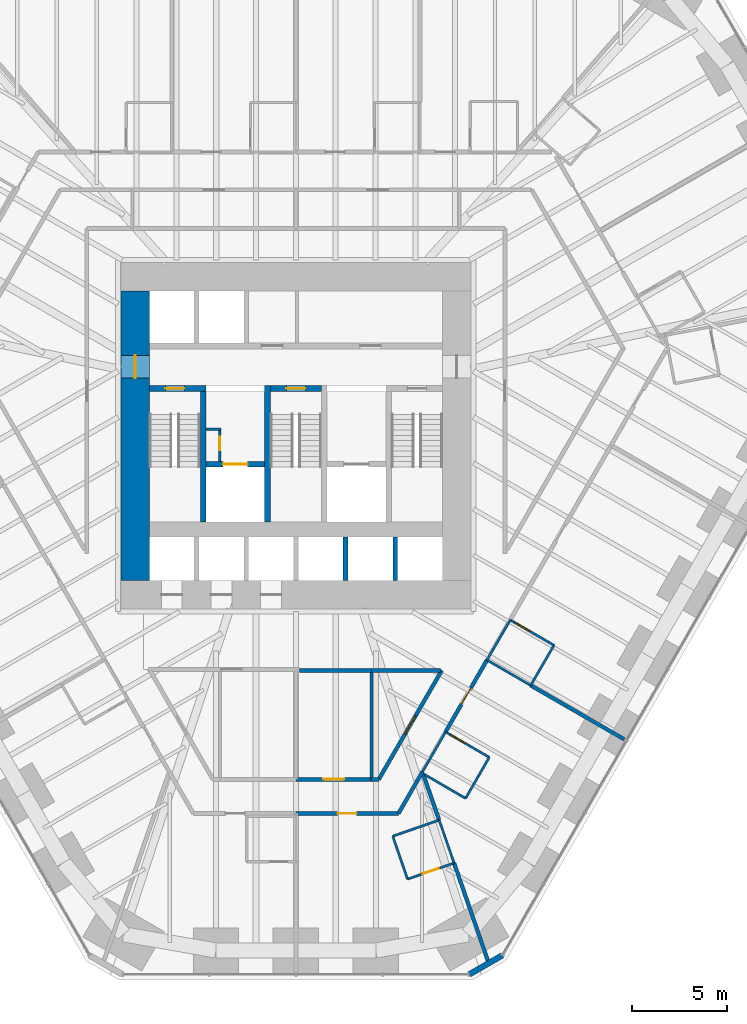
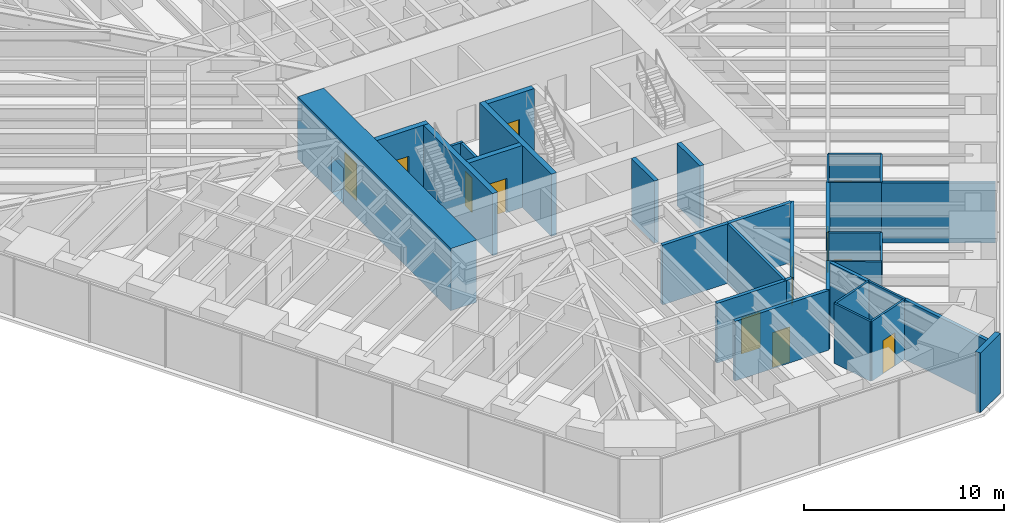
# One storey, part 12 of 17: 35 walls, 12 doors, 12 openings.
"""IFC4 building model written with IfcOpenShell, lengths in metres."""

from ifc_helpers import new_model, si_unit, direction, frame, frame_2d, origin, place, context, subcontext, project, spatial, rectangle, extrude, material, layer, layer_set, type_object, element, fill, save


model = new_model("IFC4")

# Units and contexts
model_context = context("Model", 3, precision=1e-05, world=origin(), true_north=direction((0.0, 1.0)))
body_context = subcontext(model_context, "Body", "Model", "MODEL_VIEW")
ifc_project = project(units=[si_unit("LENGTHUNIT", "METRE"), si_unit("AREAUNIT", "SQUARE_METRE"), si_unit("VOLUMEUNIT", "CUBIC_METRE"), si_unit("PLANEANGLEUNIT", "RADIAN"), si_unit("MASSUNIT", "GRAM", prefix="KILO")], contexts=[model_context])

# Site, building, storey
site_placement = place(None, origin())
site = spatial("IfcSite", under=ifc_project, at=site_placement, CompositionType="ELEMENT")
building_placement = place(site_placement, origin())
building = spatial("IfcBuilding", under=site, at=building_placement, Name="Sandreach Pilgrim Tower", CompositionType="ELEMENT")
storey_placement = place(building_placement, frame((0.0, 0.0, 42.0)))
storey = spatial("IfcBuildingStorey", under=building, at=storey_placement, Name="L09", CompositionType="ELEMENT", Elevation=42.0)

# Walls
ifc_material_1 = material(Name="Gypsum board on steel studs", Category="steel")
ifc_layer_1 = layer(ifc_material_1, 0.14990234375)
ifc_layer_set_1 = layer_set([ifc_layer_1], Name="Back of house wall 150")
wall_type_1 = type_object("IfcWallType", Name="Back of house wall 150", PredefinedType="PARTITIONING", material=ifc_layer_set_1)
wall_1_placement = place(storey_placement, frame((4.0, -13.949951171875, 0.0), z_axis=(0.0, 0.0, 1.0), x_axis=(0.0, -1.0, 0.0)))
element("IfcWall", 1, at=wall_1_placement, inside=storey, type_object=wall_type_1, Name="Back of house wall L09-073", PredefinedType="PARTITIONING", context=body_context, shape_type="SweptSolid", body=[
    extrude(rectangle(XDim=5.760009765625, YDim=0.14990234375, at=frame_2d((2.8798828125, 0.0))), origin(), (0.0, 0.0, 1.0), 3.639892578125),
])
ifc_material_2 = material(Name="Moisture-resistant gypsum board on steel studs", Category="steel")
ifc_layer_2 = layer(ifc_material_2, 0.1201171875)
ifc_layer_set_2 = layer_set([ifc_layer_2], Name="Bathroom partition 120")
wall_type_2 = type_object("IfcWallType", Name="Bathroom partition 120", PredefinedType="PARTITIONING", material=ifc_layer_set_2)
wall_2_placement = place(storey_placement, frame((5.1201171875, -22.7099609375, 0.0), z_axis=(0.0, 0.0, 1.0), x_axis=(0.324880771143, -0.945754981241, 0.0)))
element("IfcWall", 2, at=wall_2_placement, inside=storey, type_object=wall_type_2, Name="Bathroom partition L09-078", PredefinedType="PARTITIONING", context=body_context, shape_type="SweptSolid", body=[
    extrude(rectangle(XDim=2.400146484375, YDim=0.1201171875, at=frame_2d((1.2001953125, 0.0))), origin(), (0.0, 0.0, 1.0), 3.639892578125),
])

# Wall, opening, door
wall_3_placement = place(storey_placement, frame((5.89990234375, -24.97998046875, 0.0), z_axis=(0.0, 0.0, 1.0), x_axis=(0.945165466094, 0.326591857987, 0.0)))
wall_3 = element("IfcWall", 3, at=wall_3_placement, inside=storey, type_object=wall_type_2, Name="Bathroom partition L09-080", PredefinedType="PARTITIONING", context=body_context, shape_type="SweptSolid", body=[
    extrude(rectangle(XDim=2.60302734375, YDim=0.1201171875, at=frame_2d((1.301513671875, 0.0))), origin(), (0.0, 0.0, 1.0), 3.639892578125),
])
opening_1_placement = place(wall_3_placement, frame((0.85009765625, 0.0, 0.0)))
opening_1 = element("IfcOpeningElement", 4, at=opening_1_placement, cuts=wall_3, Name="Opening D09-10B", PredefinedType="OPENING", context=body_context, shape_type="SweptSolid", body=[
    extrude(rectangle(XDim=0.89990234375, YDim=2.030029296875, at=frame_2d((0.449951171875, 1.01513671875))), frame((0.0, 0.06005859375, 0.0), z_axis=(0.0, -1.0, 0.0), x_axis=(1.0, 0.0, 0.0)), (0.0, 0.0, 1.0), 0.1201171875),
])
ifc_material_3 = material(Name="Timber door, steel frame", Category="steel")
door_type_1 = type_object("IfcDoorType", Name="Bathroom door", OperationType="SINGLE_SWING_LEFT", PredefinedType="DOOR", material=ifc_material_3)
door_1_placement = place(opening_1_placement, origin())
door_1 = element("IfcDoor", 5, at=door_1_placement, inside=storey, type_object=door_type_1, Name="Door 0910B", OperationType="SINGLE_SWING_LEFT", OverallHeight=2.030029296875, OverallWidth=0.89990234375, PredefinedType="DOOR", context=body_context, shape_type="SweptSolid", body=[
    extrude(rectangle(XDim=0.89990234375, YDim=2.030029296875, at=frame_2d((0.449951171875, 1.01513671875))), frame((0.0, 0.02490234375, 0.0), z_axis=(0.0, -1.0, 0.0), x_axis=(1.0, 0.0, 0.0)), (0.0, 0.0, 1.0), 0.050048828125),
])
fill(opening_1, door_1)

# Walls
wall_4_placement = place(storey_placement, frame((6.68994140625, -19.31005859375, 0.0), z_axis=(0.0, 0.0, 1.0), x_axis=(0.500522890398, 0.865723302324, 0.0)))
element("IfcWall", 6, at=wall_4_placement, inside=storey, type_object=wall_type_2, Name="Bathroom partition L09-085", PredefinedType="PARTITIONING", context=body_context, shape_type="SweptSolid", body=[
    extrude(rectangle(XDim=2.4375, YDim=0.1201171875, at=frame_2d((1.21875, 0.0))), origin(), (0.0, 0.0, 1.0), 3.639892578125),
])
wall_5_placement = place(storey_placement, frame((6.807861328125, -19.455078125, 0.0), z_axis=(0.0, 0.0, 1.0), x_axis=(0.864881956308, -0.501975299844, 0.0)))
element("IfcWall", 7, at=wall_5_placement, inside=storey, type_object=wall_type_2, Name="Bathroom partition L09-086", PredefinedType="PARTITIONING", context=body_context, shape_type="SweptSolid", body=[
    extrude(rectangle(XDim=2.5, YDim=0.1201171875, at=frame_2d((1.25, 0.0))), origin(), (0.0, 0.0, 1.0), 3.639892578125),
])
wall_6_placement = place(storey_placement, frame((7.570068359375, -21.860107421875, 0.0), z_axis=(0.0, 0.0, 1.0), x_axis=(-0.944782191137, -0.327698964463, 0.0)))
element("IfcWall", 8, at=wall_6_placement, inside=storey, type_object=wall_type_2, Name="Bathroom partition L09-087", PredefinedType="PARTITIONING", context=body_context, shape_type="SweptSolid", body=[
    extrude(rectangle(XDim=2.593505859375, YDim=0.1201171875, at=frame_2d((1.296875, 0.0))), origin(), (0.0, 0.0, 1.0), 3.639892578125),
])
wall_7_placement = place(storey_placement, frame((7.570068359375, -21.860107421875, 0.0), z_axis=(0.0, 0.0, 1.0), x_axis=(0.328725498061, -0.944425511581, 0.0)))
element("IfcWall", 9, at=wall_7_placement, inside=storey, type_object=wall_type_2, Name="Bathroom partition L09-089", PredefinedType="PARTITIONING", context=body_context, shape_type="SweptSolid", body=[
    extrude(rectangle(XDim=2.4033203125, YDim=0.1201171875, at=frame_2d((1.20166015625, 0.0))), origin(), (0.0, 0.0, 1.0), 3.639892578125),
])
wall_8_placement = place(storey_placement, frame((8.969970703125, -20.7099609375, 0.0), z_axis=(0.0, 0.0, 1.0), x_axis=(0.499159685399, 0.866510016372, 0.0)))
element("IfcWall", 10, at=wall_8_placement, inside=storey, type_object=wall_type_2, Name="Bathroom partition L09-096", PredefinedType="PARTITIONING", context=body_context, shape_type="SweptSolid", body=[
    extrude(rectangle(XDim=2.504150390625, YDim=0.1201171875, at=frame_2d((1.251953125, 0.0))), origin(), (0.0, 0.0, 1.0), 3.639892578125),
])
wall_9_placement = place(storey_placement, frame((10.10009765625, -13.39990234375, 0.0), z_axis=(0.0, 0.0, 1.0), x_axis=(0.501856726365, 0.86495076519, 0.0)))
element("IfcWall", 11, at=wall_9_placement, inside=storey, type_object=wall_type_2, Name="Bathroom partition L09-099", PredefinedType="PARTITIONING", context=body_context, shape_type="SweptSolid", body=[
    extrude(rectangle(XDim=2.450927734375, YDim=0.1201171875, at=frame_2d((1.2255859375, 0.0))), origin(), (0.0, 0.0, 1.0), 3.639892578125),
])
wall_10_placement = place(storey_placement, frame((10.10009765625, -13.39990234375, 0.0), z_axis=(0.0, 0.0, 1.0), x_axis=(0.864966903181, -0.501828911485, 0.0)))
element("IfcWall", 12, at=wall_10_placement, inside=storey, type_object=wall_type_2, Name="Bathroom partition L09-100", PredefinedType="PARTITIONING", context=body_context, shape_type="SweptSolid", body=[
    extrude(rectangle(XDim=2.67041015625, YDim=0.1201171875, at=frame_2d((1.335205078125, 0.0))), origin(), (0.0, 0.0, 1.0), 3.639892578125),
])

# Wall, opening, door
wall_11_placement = place(storey_placement, frame((10.219970703125, -18.5400390625, 0.0), z_axis=(0.0, 0.0, 1.0), x_axis=(-0.86498992408, 0.501789229896, 0.0)))
wall_11 = element("IfcWall", 13, at=wall_11_placement, inside=storey, type_object=wall_type_2, Name="Bathroom partition L09-101", PredefinedType="PARTITIONING", context=body_context, shape_type="SweptSolid", body=[
    extrude(rectangle(XDim=2.670654296875, YDim=0.1201171875, at=frame_2d((1.33544921875, 0.0))), origin(), (0.0, 0.0, 1.0), 3.639892578125),
])
opening_2_placement = place(wall_11_placement, frame((1.470458984375, 0.0, 0.0)))
opening_2 = element("IfcOpeningElement", 14, at=opening_2_placement, cuts=wall_11, Name="Opening D09-09B", PredefinedType="OPENING", context=body_context, shape_type="SweptSolid", body=[
    extrude(rectangle(XDim=0.89990234375, YDim=2.030029296875, at=frame_2d((0.449951171875, 1.01513671875))), frame((0.0, 0.06005859375, 0.0), z_axis=(0.0, -1.0, 0.0), x_axis=(1.0, 0.0, 0.0)), (0.0, 0.0, 1.0), 0.1201171875),
])
door_2_placement = place(opening_2_placement, origin())
door_2 = element("IfcDoor", 15, at=door_2_placement, inside=storey, type_object=door_type_1, Name="Door 0909B", OperationType="SINGLE_SWING_RIGHT", OverallHeight=2.030029296875, OverallWidth=0.89990234375, PredefinedType="DOOR", context=body_context, shape_type="SweptSolid", body=[
    extrude(rectangle(XDim=0.89990234375, YDim=2.030029296875, at=frame_2d((0.449951171875, 1.01513671875))), frame((0.0, 0.02490234375, 0.0), z_axis=(0.0, -1.0, 0.0), x_axis=(1.0, 0.0, 0.0)), (0.0, 0.0, 1.0), 0.050048828125),
])
fill(opening_2, door_2)

# Wall
wall_12_placement = place(storey_placement, frame((12.409912109375, -14.739990234375, 0.0), z_axis=(0.0, 0.0, 1.0), x_axis=(0.501813488763, 0.864975850817, 0.0)))
element("IfcWall", 16, at=wall_12_placement, inside=storey, type_object=wall_type_2, Name="Bathroom partition L09-109", PredefinedType="PARTITIONING", context=body_context, shape_type="SweptSolid", body=[
    extrude(rectangle(XDim=2.451171875, YDim=0.1201171875, at=frame_2d((1.2255859375, 0.0))), origin(), (0.0, 0.0, 1.0), 3.639892578125),
])

# Wall, opening, door
wall_13_placement = place(storey_placement, frame((13.639892578125, -12.6201171875, 0.0), z_axis=(0.0, 0.0, 1.0), x_axis=(-0.864966903181, 0.501828911485, 0.0)))
wall_13 = element("IfcWall", 17, at=wall_13_placement, inside=storey, type_object=wall_type_2, Name="Bathroom partition L09-114", PredefinedType="PARTITIONING", context=body_context, shape_type="SweptSolid", body=[
    extrude(rectangle(XDim=2.67041015625, YDim=0.1201171875, at=frame_2d((1.335205078125, 0.0))), origin(), (0.0, 0.0, 1.0), 3.639892578125),
])
opening_3_placement = place(wall_13_placement, frame((1.470458984375, 0.0, 0.0)))
opening_3 = element("IfcOpeningElement", 18, at=opening_3_placement, cuts=wall_13, Name="Opening D09-08B", PredefinedType="OPENING", context=body_context, shape_type="SweptSolid", body=[
    extrude(rectangle(XDim=0.89990234375, YDim=2.030029296875, at=frame_2d((0.449951171875, 1.01513671875))), frame((0.0, 0.06005859375, 0.0), z_axis=(0.0, -1.0, 0.0), x_axis=(1.0, 0.0, 0.0)), (0.0, 0.0, 1.0), 0.1201171875),
])
door_3_placement = place(opening_3_placement, origin())
door_3 = element("IfcDoor", 19, at=door_3_placement, inside=storey, type_object=door_type_1, Name="Door 0908B", OperationType="SINGLE_SWING_RIGHT", OverallHeight=2.030029296875, OverallWidth=0.89990234375, PredefinedType="DOOR", context=body_context, shape_type="SweptSolid", body=[
    extrude(rectangle(XDim=0.89990234375, YDim=2.030029296875, at=frame_2d((0.449951171875, 1.01513671875))), frame((0.0, 0.02490234375, 0.0), z_axis=(0.0, -1.0, 0.0), x_axis=(1.0, 0.0, 0.0)), (0.0, 0.0, 1.0), 0.050048828125),
])
fill(opening_3, door_3)

# Walls
ifc_material_4 = material(Name="Concrete 10000 psi", Category="concrete")
ifc_layer_3 = layer(ifc_material_4, 0.300048828125)
ifc_layer_set_3 = layer_set([ifc_layer_3], Name="Core inner wall 300")
wall_type_3 = type_object("IfcWallType", Name="Core inner wall 300", PredefinedType="SHEAR", material=ifc_layer_set_3)
for number, where, z_axis, x_axis, name in (
    (20, (-4.89990234375, -6.10009765625, 0.0), (0.0, 0.0, 1.0), (0.0, 1.0, 0.0), "Core wall I0 L09"),
    (21, (-1.5, -6.10009765625, 0.0), (0.0, 0.0, 1.0), (0.0, 1.0, 0.0), "Core wall I1 L09"),
):
    element("IfcWall", number, at=place(storey_placement, frame(where, z_axis=z_axis, x_axis=x_axis)), inside=storey, type_object=wall_type_3, Name=name, PredefinedType="SHEAR", context=body_context, shape_type="SweptSolid", body=[
        extrude(rectangle(XDim=7.2001953125, YDim=0.300048828125, at=frame_2d((3.60009765625, 0.0))), origin(), (0.0, 0.0, 1.0), 3.800048828125),
    ])

# Wall, opening, door
wall_14_placement = place(storey_placement, frame((-7.75, 0.949951171875, 0.0), z_axis=(0.0, 0.0, 1.0), x_axis=(1.0, 0.0, 0.0)))
wall_14 = element("IfcWall", 22, at=wall_14_placement, inside=storey, type_object=wall_type_3, Name="Core wall SN1 L09", PredefinedType="SHEAR", context=body_context, shape_type="SweptSolid", body=[
    extrude(rectangle(XDim=3.0, YDim=0.300048828125, at=frame_2d((1.5, 0.0))), origin(), (0.0, 0.0, 1.0), 3.800048828125),
])
opening_4_placement = place(wall_14_placement, frame((0.85009765625, 0.0, 0.0)))
opening_4 = element("IfcOpeningElement", 23, at=opening_4_placement, cuts=wall_14, Name="Opening D10S-ST1", PredefinedType="OPENING", context=body_context, shape_type="SweptSolid", body=[
    extrude(rectangle(XDim=1.0, YDim=2.199951171875, at=frame_2d((0.5, 1.10009765625))), frame((0.0, 0.14990234375, 0.0), z_axis=(0.0, -1.0, 0.0), x_axis=(1.0, 0.0, 0.0)), (0.0, 0.0, 1.0), 0.300048828125),
])
ifc_material_5 = material(Name="Steel door and frame", Category="steel")
door_type_2 = type_object("IfcDoorType", Name="Stair door", OperationType="SINGLE_SWING_LEFT", PredefinedType="DOOR", material=ifc_material_5)
door_4_placement = place(opening_4_placement, origin())
door_4 = element("IfcDoor", 24, at=door_4_placement, inside=storey, type_object=door_type_2, Name="Stair door ST1 L09", OperationType="SINGLE_SWING_LEFT", OverallHeight=2.199951171875, OverallWidth=1.0, PredefinedType="DOOR", context=body_context, shape_type="SweptSolid", body=[
    extrude(rectangle(XDim=1.0, YDim=2.199951171875, at=frame_2d((0.5, 1.10009765625))), frame((0.0, 0.02490234375, 0.0), z_axis=(0.0, -1.0, 0.0), x_axis=(1.0, 0.0, 0.0)), (0.0, 0.0, 1.0), 0.050048828125),
])
fill(opening_4, door_4)

wall_15_placement = place(storey_placement, frame((-1.35009765625, 0.949951171875, 0.0), z_axis=(0.0, 0.0, 1.0), x_axis=(1.0, 0.0, 0.0)))
wall_15 = element("IfcWall", 25, at=wall_15_placement, inside=storey, type_object=wall_type_3, Name="Core wall SN3 L09", PredefinedType="SHEAR", context=body_context, shape_type="SweptSolid", body=[
    extrude(rectangle(XDim=2.7001953125, YDim=0.300048828125, at=frame_2d((1.35009765625, 0.0))), origin(), (0.0, 0.0, 1.0), 3.800048828125),
])
opening_5_placement = place(wall_15_placement, frame((0.85009765625, 0.0, 0.0)))
opening_5 = element("IfcOpeningElement", 26, at=opening_5_placement, cuts=wall_15, Name="Opening D10S-ST3", PredefinedType="OPENING", context=body_context, shape_type="SweptSolid", body=[
    extrude(rectangle(XDim=1.0, YDim=2.199951171875, at=frame_2d((0.5, 1.10009765625))), frame((0.0, 0.14990234375, 0.0), z_axis=(0.0, -1.0, 0.0), x_axis=(1.0, 0.0, 0.0)), (0.0, 0.0, 1.0), 0.300048828125),
])
door_5_placement = place(opening_5_placement, origin())
door_5 = element("IfcDoor", 27, at=door_5_placement, inside=storey, type_object=door_type_2, Name="Stair door ST3 L09", OperationType="SINGLE_SWING_LEFT", OverallHeight=2.199951171875, OverallWidth=1.0, PredefinedType="DOOR", context=body_context, shape_type="SweptSolid", body=[
    extrude(rectangle(XDim=1.0, YDim=2.199951171875, at=frame_2d((0.5, 1.10009765625))), frame((0.0, 0.02490234375, 0.0), z_axis=(0.0, -1.0, 0.0), x_axis=(1.0, 0.0, 0.0)), (0.0, 0.0, 1.0), 0.050048828125),
])
fill(opening_5, door_5)

wall_16_placement = place(storey_placement, frame((-4.75, -3.050048828125, 0.0), z_axis=(0.0, 0.0, 1.0), x_axis=(1.0, 0.0, 0.0)))
wall_16 = element("IfcWall", 28, at=wall_16_placement, inside=storey, type_object=wall_type_3, Name="Core wall FL1 L09", PredefinedType="SHEAR", context=body_context, shape_type="SweptSolid", body=[
    extrude(rectangle(XDim=3.10009765625, YDim=0.300048828125, at=frame_2d((1.550048828125, 0.0))), origin(), (0.0, 0.0, 1.0), 3.800048828125),
])
opening_6_placement = place(wall_16_placement, frame((0.89990234375, 0.0, 0.0)))
opening_6 = element("IfcOpeningElement", 29, at=opening_6_placement, cuts=wall_16, Name="Opening LD13", PredefinedType="OPENING", context=body_context, shape_type="SweptSolid", body=[
    extrude(rectangle(XDim=1.300048828125, YDim=2.10009765625, at=frame_2d((0.64990234375, 1.050048828125))), frame((0.0, 0.14990234375, 0.0), z_axis=(0.0, -1.0, 0.0), x_axis=(1.0, 0.0, 0.0)), (0.0, 0.0, 1.0), 0.300048828125),
])
ifc_material_6 = material(Name="Steel door and frame", Category="steel")
door_type_3 = type_object("IfcDoorType", Name="Fire service lift landing door", OperationType="DOUBLE_DOOR_SLIDING", PredefinedType="DOOR", material=ifc_material_6)
door_6_placement = place(opening_6_placement, origin())
door_6 = element("IfcDoor", 30, at=door_6_placement, inside=storey, type_object=door_type_3, Name="Lift landing door FS1 L09", OperationType="DOUBLE_DOOR_SLIDING", OverallHeight=2.10009765625, OverallWidth=1.300048828125, PredefinedType="DOOR", context=body_context, shape_type="SweptSolid", body=[
    extrude(rectangle(XDim=1.300048828125, YDim=2.10009765625, at=frame_2d((0.64990234375, 1.050048828125))), frame((0.0, 0.02490234375, 0.0), z_axis=(0.0, -1.0, 0.0), x_axis=(1.0, 0.0, 0.0)), (0.0, 0.0, 1.0), 0.050048828125),
])
fill(opening_6, door_6)

ifc_material_7 = material(Name="Concrete 10000 psi", Category="concrete")
ifc_layer_4 = layer(ifc_material_7, 1.5)
ifc_layer_set_4 = layer_set([ifc_layer_4], Name="Core wall 1500")
wall_type_4 = type_object("IfcWallType", Name="Core wall 1500", PredefinedType="SHEAR", material=ifc_layer_set_4)
wall_17_placement = place(storey_placement, frame((-8.5, -9.199951171875, 0.0), z_axis=(0.0, 0.0, 1.0), x_axis=(0.0, 1.0, 0.0)))
wall_17 = element("IfcWall", 31, at=wall_17_placement, inside=storey, type_object=wall_type_4, Name="Core wall W L09", PredefinedType="SHEAR", context=body_context, shape_type="SweptSolid", body=[
    extrude(rectangle(XDim=15.300048828125, YDim=1.5, at=frame_2d((7.64990234375, 0.0))), origin(), (0.0, 0.0, 1.0), 3.800048828125),
])
opening_7_placement = place(wall_17_placement, frame((10.699951171875, 0.0, 0.0)))
opening_7 = element("IfcOpeningElement", 32, at=opening_7_placement, cuts=wall_17, Name="Opening D12F-W", PredefinedType="OPENING", context=body_context, shape_type="SweptSolid", body=[
    extrude(rectangle(XDim=1.199951171875, YDim=2.199951171875, at=frame_2d((0.60009765625, 1.10009765625))), frame((0.0, 0.75, 0.0), z_axis=(0.0, -1.0, 0.0), x_axis=(1.0, 0.0, 0.0)), (0.0, 0.0, 1.0), 1.5),
])
ifc_material_8 = material(Name="Steel door and frame", Category="steel")
door_type_4 = type_object("IfcDoorType", Name="Fire lobby door", OperationType="SINGLE_SWING_LEFT", PredefinedType="DOOR", material=ifc_material_8)
door_7_placement = place(opening_7_placement, origin())
door_7 = element("IfcDoor", 33, at=door_7_placement, inside=storey, type_object=door_type_4, Name="Fire service lobby door W L09", OperationType="SINGLE_SWING_RIGHT", OverallHeight=2.199951171875, OverallWidth=1.199951171875, PredefinedType="DOOR", context=body_context, shape_type="SweptSolid", body=[
    extrude(rectangle(XDim=1.199951171875, YDim=2.199951171875, at=frame_2d((0.60009765625, 1.10009765625))), frame((0.0, 0.02490234375, 0.0), z_axis=(0.0, -1.0, 0.0), x_axis=(1.0, 0.0, 0.0)), (0.0, 0.0, 1.0), 0.050048828125),
])
fill(opening_7, door_7)

ifc_material_9 = material(Name="Gypsum board on steel studs, two layers each side", Category="steel")
ifc_layer_5 = layer(ifc_material_9, 0.199951171875)
ifc_layer_set_5 = layer_set([ifc_layer_5], Name="Corridor wall 200")
wall_type_5 = type_object("IfcWallType", Name="Corridor wall 200", PredefinedType="PARTITIONING", material=ifc_layer_set_5)
wall_18_placement = place(storey_placement, frame((0.0, -21.510009765625, 0.0), z_axis=(0.0, 0.0, 1.0), x_axis=(1.0, 0.0, 0.0)))
wall_18 = element("IfcWall", 34, at=wall_18_placement, inside=storey, type_object=wall_type_5, Name="Corridor wall L09-060", PredefinedType="PARTITIONING", context=body_context, shape_type="SweptSolid", body=[
    extrude(rectangle(XDim=5.419921875, YDim=0.199951171875, at=frame_2d((2.7099609375, 0.0))), origin(), (0.0, 0.0, 1.0), 3.639892578125),
])
opening_8_placement = place(wall_18_placement, frame((2.2099609375, 0.0, 0.0)))
opening_8 = element("IfcOpeningElement", 35, at=opening_8_placement, cuts=wall_18, Name="Opening D10-10", PredefinedType="OPENING", context=body_context, shape_type="SweptSolid", body=[
    extrude(rectangle(XDim=1.0, YDim=2.1298828125, at=frame_2d((0.5, 1.06494140625))), frame((0.0, 0.10009765625, 0.0), z_axis=(0.0, -1.0, 0.0), x_axis=(1.0, 0.0, 0.0)), (0.0, 0.0, 1.0), 0.199951171875),
])
ifc_material_10 = material(Name="Steel door and frame", Category="steel")
door_type_5 = type_object("IfcDoorType", Name="Guest room entry door", OperationType="SINGLE_SWING_LEFT", PredefinedType="DOOR", material=ifc_material_10)
door_8_placement = place(opening_8_placement, origin())
door_8 = element("IfcDoor", 36, at=door_8_placement, inside=storey, type_object=door_type_5, Name="Door 0910", OperationType="SINGLE_SWING_LEFT", OverallHeight=2.1298828125, OverallWidth=1.0, PredefinedType="DOOR", context=body_context, shape_type="SweptSolid", body=[
    extrude(rectangle(XDim=1.0, YDim=2.1298828125, at=frame_2d((0.5, 1.06494140625))), frame((0.0, 0.02490234375, 0.0), z_axis=(0.0, -1.0, 0.0), x_axis=(1.0, 0.0, 0.0)), (0.0, 0.0, 1.0), 0.050048828125),
])
fill(opening_8, door_8)

# Wall
wall_19_placement = place(storey_placement, frame((0.179931640625, -13.949951171875, 0.0), z_axis=(0.0, 0.0, 1.0), x_axis=(1.0, 0.0, 0.0)))
element("IfcWall", 37, at=wall_19_placement, inside=storey, type_object=wall_type_5, Name="Corridor wall L09-070", PredefinedType="PARTITIONING", context=body_context, shape_type="SweptSolid", body=[
    extrude(rectangle(XDim=3.820068359375, YDim=0.199951171875, at=frame_2d((1.91015625, 0.0))), origin(), (0.0, 0.0, 1.0), 3.639892578125),
])

# Wall, opening, door
wall_20_placement = place(storey_placement, frame((4.0, -19.7099609375, 0.0), z_axis=(0.0, 0.0, 1.0), x_axis=(-1.0, 0.0, 0.0)))
wall_20 = element("IfcWall", 38, at=wall_20_placement, inside=storey, type_object=wall_type_5, Name="Corridor wall L09-072", PredefinedType="PARTITIONING", context=body_context, shape_type="SweptSolid", body=[
    extrude(rectangle(XDim=4.0, YDim=0.199951171875, at=frame_2d((2.0, 0.0))), origin(), (0.0, 0.0, 1.0), 3.639892578125),
])
opening_9_placement = place(wall_20_placement, frame((1.449951171875, 0.0, 0.0)))
opening_9 = element("IfcOpeningElement", 39, at=opening_9_placement, cuts=wall_20, Name="Opening D11H-S3", PredefinedType="OPENING", context=body_context, shape_type="SweptSolid", body=[
    extrude(rectangle(XDim=1.10009765625, YDim=2.199951171875, at=frame_2d((0.550048828125, 1.10009765625))), frame((0.0, 0.10009765625, 0.0), z_axis=(0.0, -1.0, 0.0), x_axis=(1.0, 0.0, 0.0)), (0.0, 0.0, 1.0), 0.199951171875),
])
ifc_material_11 = material(Name="Steel door and frame", Category="steel")
door_type_6 = type_object("IfcDoorType", Name="Back of house door", OperationType="SINGLE_SWING_LEFT", PredefinedType="DOOR", material=ifc_material_11)
door_9_placement = place(opening_9_placement, origin())
door_9 = element("IfcDoor", 40, at=door_9_placement, inside=storey, type_object=door_type_6, Name="Door 09S3", OperationType="SINGLE_SWING_LEFT", OverallHeight=2.199951171875, OverallWidth=1.10009765625, PredefinedType="DOOR", context=body_context, shape_type="SweptSolid", body=[
    extrude(rectangle(XDim=1.10009765625, YDim=2.199951171875, at=frame_2d((0.550048828125, 1.10009765625))), frame((0.0, 0.02490234375, 0.0), z_axis=(0.0, -1.0, 0.0), x_axis=(1.0, 0.0, 0.0)), (0.0, 0.0, 1.0), 0.050048828125),
])
fill(opening_9, door_9)

# Walls
wall_21_placement = place(storey_placement, frame((4.0, -13.949951171875, 0.0), z_axis=(0.0, 0.0, 1.0), x_axis=(1.0, 0.0, 0.0)))
element("IfcWall", 41, at=wall_21_placement, inside=storey, type_object=wall_type_5, Name="Corridor wall L09-074", PredefinedType="PARTITIONING", context=body_context, shape_type="SweptSolid", body=[
    extrude(rectangle(XDim=3.635009765625, YDim=0.199951171875, at=frame_2d((1.8173828125, 0.0))), origin(), (0.0, 0.0, 1.0), 3.639892578125),
])
wall_22_placement = place(storey_placement, frame((4.3798828125, -19.7099609375, 0.0), z_axis=(0.0, 0.0, 1.0), x_axis=(-1.0, 0.0, 0.0)))
element("IfcWall", 42, at=wall_22_placement, inside=storey, type_object=wall_type_5, Name="Corridor wall L09-077", PredefinedType="PARTITIONING", context=body_context, shape_type="SweptSolid", body=[
    extrude(rectangle(XDim=0.3798828125, YDim=0.199951171875, at=frame_2d((0.18994140625, 0.0))), origin(), (0.0, 0.0, 1.0), 3.639892578125),
])
wall_23_placement = place(storey_placement, frame((5.419921875, -21.510009765625, 0.0), z_axis=(0.0, 0.0, 1.0), x_axis=(0.499963722229, 0.866046347752, 0.0)))
element("IfcWall", 43, at=wall_23_placement, inside=storey, type_object=wall_type_5, Name="Corridor wall L09-079", PredefinedType="PARTITIONING", context=body_context, shape_type="SweptSolid", body=[
    extrude(rectangle(XDim=2.540283203125, YDim=0.199951171875, at=frame_2d((1.27001953125, 0.0))), origin(), (0.0, 0.0, 1.0), 3.639892578125),
])

# Wall, opening, door
wall_24_placement = place(storey_placement, frame((7.7099609375, -13.949951171875, 0.0), z_axis=(0.0, 0.0, 1.0), x_axis=(-0.500511113963, -0.865730110831, 0.0)))
wall_24 = element("IfcWall", 44, at=wall_24_placement, inside=storey, type_object=wall_type_5, Name="Corridor wall L09-090", PredefinedType="PARTITIONING", context=body_context, shape_type="SweptSolid", body=[
    extrude(rectangle(XDim=6.6533203125, YDim=0.199951171875, at=frame_2d((3.32666015625, 0.0))), origin(), (0.0, 0.0, 1.0), 3.639892578125),
])
opening_10_placement = place(wall_24_placement, frame((2.776611328125, 0.0, 0.0)))
opening_10 = element("IfcOpeningElement", 45, at=opening_10_placement, cuts=wall_24, Name="Opening D11H-S4", PredefinedType="OPENING", context=body_context, shape_type="SweptSolid", body=[
    extrude(rectangle(XDim=1.10009765625, YDim=2.199951171875, at=frame_2d((0.550048828125, 1.10009765625))), frame((0.0, 0.10009765625, 0.0), z_axis=(0.0, -1.0, 0.0), x_axis=(1.0, 0.0, 0.0)), (0.0, 0.0, 1.0), 0.199951171875),
])
door_10_placement = place(opening_10_placement, origin())
door_10 = element("IfcDoor", 46, at=door_10_placement, inside=storey, type_object=door_type_6, Name="Door 09S4", OperationType="SINGLE_SWING_LEFT", OverallHeight=2.199951171875, OverallWidth=1.10009765625, PredefinedType="DOOR", context=body_context, shape_type="SweptSolid", body=[
    extrude(rectangle(XDim=1.10009765625, YDim=2.199951171875, at=frame_2d((0.550048828125, 1.10009765625))), frame((0.0, 0.02490234375, 0.0), z_axis=(0.0, -1.0, 0.0), x_axis=(1.0, 0.0, 0.0)), (0.0, 0.0, 1.0), 0.050048828125),
])
fill(opening_10, door_10)

wall_25_placement = place(storey_placement, frame((7.9091796875, -17.199462890625, 0.0), z_axis=(0.0, 0.0, 1.0), x_axis=(0.499528080516, 0.866297695239, 0.0)))
wall_25 = element("IfcWall", 47, at=wall_25_placement, inside=storey, type_object=wall_type_5, Name="Corridor wall L09-091", PredefinedType="PARTITIONING", context=body_context, shape_type="SweptSolid", body=[
    extrude(rectangle(XDim=4.385986328125, YDim=0.199951171875, at=frame_2d((2.19287109375, 0.0))), origin(), (0.0, 0.0, 1.0), 3.639892578125),
])
opening_11_placement = place(wall_25_placement, frame((1.69287109375, 0.0, 0.0)))
opening_11 = element("IfcOpeningElement", 48, at=opening_11_placement, cuts=wall_25, Name="Opening D10-09", PredefinedType="OPENING", context=body_context, shape_type="SweptSolid", body=[
    extrude(rectangle(XDim=1.0, YDim=2.1298828125, at=frame_2d((0.5, 1.06494140625))), frame((0.0, 0.10009765625, 0.0), z_axis=(0.0, -1.0, 0.0), x_axis=(1.0, 0.0, 0.0)), (0.0, 0.0, 1.0), 0.199951171875),
])
door_11_placement = place(opening_11_placement, origin())
door_11 = element("IfcDoor", 49, at=door_11_placement, inside=storey, type_object=door_type_5, Name="Door 0909", OperationType="SINGLE_SWING_LEFT", OverallHeight=2.1298828125, OverallWidth=1.0, PredefinedType="DOOR", context=body_context, shape_type="SweptSolid", body=[
    extrude(rectangle(XDim=1.0, YDim=2.1298828125, at=frame_2d((0.5, 1.06494140625))), frame((0.0, 0.02490234375, 0.0), z_axis=(0.0, -1.0, 0.0), x_axis=(1.0, 0.0, 0.0)), (0.0, 0.0, 1.0), 0.050048828125),
])
fill(opening_11, door_11)

# Walls
ifc_material_12 = material(Name="Double steel stud acoustic wall, gypsum board", Category="steel")
ifc_layer_6 = layer(ifc_material_12, 0.199951171875)
ifc_layer_set_6 = layer_set([ifc_layer_6], Name="Party wall 200")
wall_type_6 = type_object("IfcWallType", Name="Party wall 200", PredefinedType="PARTITIONING", material=ifc_layer_set_6)
wall_26_placement = place(storey_placement, frame((7.570068359375, -21.860107421875, 0.0), z_axis=(0.0, 0.0, 1.0), x_axis=(-0.327782990589, 0.944753042377, 0.0)))
element("IfcWall", 50, at=wall_26_placement, inside=storey, type_object=wall_type_6, Name="Party wall L09-088", PredefinedType="PARTITIONING", context=body_context, shape_type="SweptSolid", body=[
    extrude(rectangle(XDim=2.593505859375, YDim=0.199951171875, at=frame_2d((1.296875, 0.0))), origin(), (0.0, 0.0, 1.0), 3.639892578125),
])
wall_27_placement = place(storey_placement, frame((8.360107421875, -24.1298828125, 0.0), z_axis=(0.0, 0.0, 1.0), x_axis=(0.327332811485, -0.944909112309, 0.0)))
element("IfcWall", 51, at=wall_27_placement, inside=storey, type_object=wall_type_6, Name="Party wall L09-092", PredefinedType="PARTITIONING", context=body_context, shape_type="SweptSolid", body=[
    extrude(rectangle(XDim=5.621337890625, YDim=0.199951171875, at=frame_2d((2.810546875, 0.0))), origin(), (0.0, 0.0, 1.0), 3.639892578125),
])
wall_28_placement = place(storey_placement, frame((17.35595703125, -17.590087890625, 0.0), z_axis=(0.0, 0.0, 1.0), x_axis=(-0.866442508333, 0.499276856818, 0.0)))
element("IfcWall", 52, at=wall_28_placement, inside=storey, type_object=wall_type_6, Name="Party wall L09-122", PredefinedType="PARTITIONING", context=body_context, shape_type="SweptSolid", body=[
    extrude(rectangle(XDim=5.70849609375, YDim=0.199951171875, at=frame_2d((2.854248046875, 0.0))), origin(), (0.0, 0.0, 1.0), 3.639892578125),
])

# Wall, opening, door
ifc_material_13 = material(Name="Gypsum shaft wall on steel studs, shaft liner board", Category="steel")
ifc_layer_7 = layer(ifc_material_13, 0.14990234375)
ifc_layer_set_7 = layer_set([ifc_layer_7], Name="Riser shaft wall 150")
wall_type_7 = type_object("IfcWallType", Name="Riser shaft wall 150", PredefinedType="PARTITIONING", material=ifc_layer_set_7)
wall_29_placement = place(storey_placement, frame((-4.02490234375, -2.89990234375, 0.0), z_axis=(0.0, 0.0, 1.0), x_axis=(0.0, 1.0, 0.0)))
wall_29 = element("IfcWall", 53, at=wall_29_placement, inside=storey, type_object=wall_type_7, Name="Riser partition L09 side", PredefinedType="PARTITIONING", context=body_context, shape_type="SweptSolid", body=[
    extrude(rectangle(XDim=1.77490234375, YDim=0.14990234375, at=frame_2d((0.887451171875, 0.0))), origin(), (0.0, 0.0, 1.0), 3.639892578125),
])
opening_12_placement = place(wall_29_placement, frame((0.60009765625, 0.0, 0.0)))
opening_12 = element("IfcOpeningElement", 54, at=opening_12_placement, cuts=wall_29, Name="Opening D07R", PredefinedType="OPENING", context=body_context, shape_type="SweptSolid", body=[
    extrude(rectangle(XDim=0.699951171875, YDim=2.10009765625, at=frame_2d((0.35009765625, 1.050048828125))), frame((0.0, 0.074951171875, 0.0), z_axis=(0.0, -1.0, 0.0), x_axis=(1.0, 0.0, 0.0)), (0.0, 0.0, 1.0), 0.14990234375),
])
ifc_material_14 = material(Name="Steel door and frame, smoke seals", Category="steel")
door_type_7 = type_object("IfcDoorType", Name="Riser access door", OperationType="SINGLE_SWING_RIGHT", PredefinedType="DOOR", material=ifc_material_14)
door_12_placement = place(opening_12_placement, origin())
door_12 = element("IfcDoor", 55, at=door_12_placement, inside=storey, type_object=door_type_7, Name="Door riser 09ER", OperationType="SINGLE_SWING_RIGHT", OverallHeight=2.10009765625, OverallWidth=0.699951171875, PredefinedType="DOOR", context=body_context, shape_type="SweptSolid", body=[
    extrude(rectangle(XDim=0.699951171875, YDim=2.10009765625, at=frame_2d((0.35009765625, 1.050048828125))), frame((0.0, 0.02490234375, 0.0), z_axis=(0.0, -1.0, 0.0), x_axis=(1.0, 0.0, 0.0)), (0.0, 0.0, 1.0), 0.050048828125),
])
fill(opening_12, door_12)

# Walls
wall_30_placement = place(storey_placement, frame((-4.75, -1.199951171875, 0.0), z_axis=(0.0, 0.0, 1.0), x_axis=(1.0, 0.0, 0.0)))
element("IfcWall", 56, at=wall_30_placement, inside=storey, type_object=wall_type_7, Name="Riser partition L09 front", PredefinedType="PARTITIONING", context=body_context, shape_type="SweptSolid", body=[
    extrude(rectangle(XDim=0.800048828125, YDim=0.14990234375, at=frame_2d((0.39990234375, 0.0))), origin(), (0.0, 0.0, 1.0), 3.639892578125),
])
ifc_material_15 = material(Name="Gypsum shaft wall on steel studs, two layers of shaft liner board", Category="steel")
ifc_layer_8 = layer(ifc_material_15, 0.25)
ifc_layer_set_8 = layer_set([ifc_layer_8], Name="Shaft partition 250")
wall_type_8 = type_object("IfcWallType", Name="Shaft partition 250", PredefinedType="PARTITIONING", material=ifc_layer_set_8)
for number, where, z_axis, x_axis, name in (
    (57, (2.625, -9.199951171875, 0.0), (0.0, 0.0, 1.0), (0.0, 1.0, 0.0), "Shaft partition XS3 L09"),
    (58, (5.25, -9.199951171875, 0.0), (0.0, 0.0, 1.0), (0.0, 1.0, 0.0), "Shaft partition XS4 L09"),
):
    element("IfcWall", number, at=place(storey_placement, frame(where, z_axis=z_axis, x_axis=x_axis)), inside=storey, type_object=wall_type_8, Name=name, PredefinedType="PARTITIONING", context=body_context, shape_type="SweptSolid", body=[
        extrude(rectangle(XDim=2.300048828125, YDim=0.25, at=frame_2d((1.14990234375, 0.0))), origin(), (0.0, 0.0, 1.0), 3.800048828125),
    ])
ifc_material_16 = material(Name="Terracotta rainscreen on concrete", Category="masonry")
ifc_layer_9 = layer(ifc_material_16, 0.300048828125)
ifc_layer_set_9 = layer_set([ifc_layer_9], Name="Terracotta chamfer pier")
wall_type_9 = type_object("IfcWallType", Name="Terracotta chamfer pier", PredefinedType="SOLIDWALL", material=ifc_layer_set_9)
wall_31_placement = place(storey_placement, frame((10.904052734375, -29.010986328125, 0.0), z_axis=(0.0, 0.0, 1.0), x_axis=(-0.866010750942, -0.50002537861, 0.0)))
element("IfcWall", 59, at=wall_31_placement, inside=storey, type_object=wall_type_9, Name="Chamfer pier L09 SE", PredefinedType="SOLIDWALL", context=body_context, shape_type="SweptSolid", body=[
    extrude(rectangle(XDim=2.0, YDim=0.300048828125, at=frame_2d((1.0, 0.0))), origin(), (0.0, 0.0, 1.0), 3.639892578125),
])

save(model, "model.ifc")
